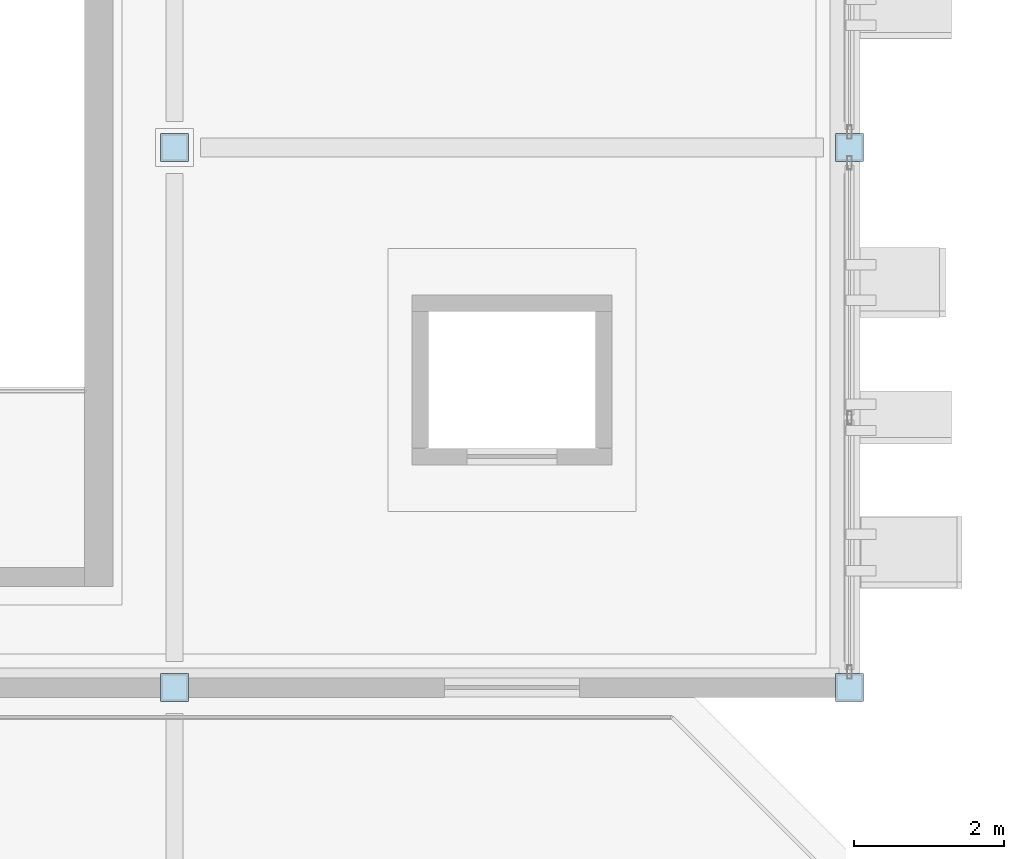
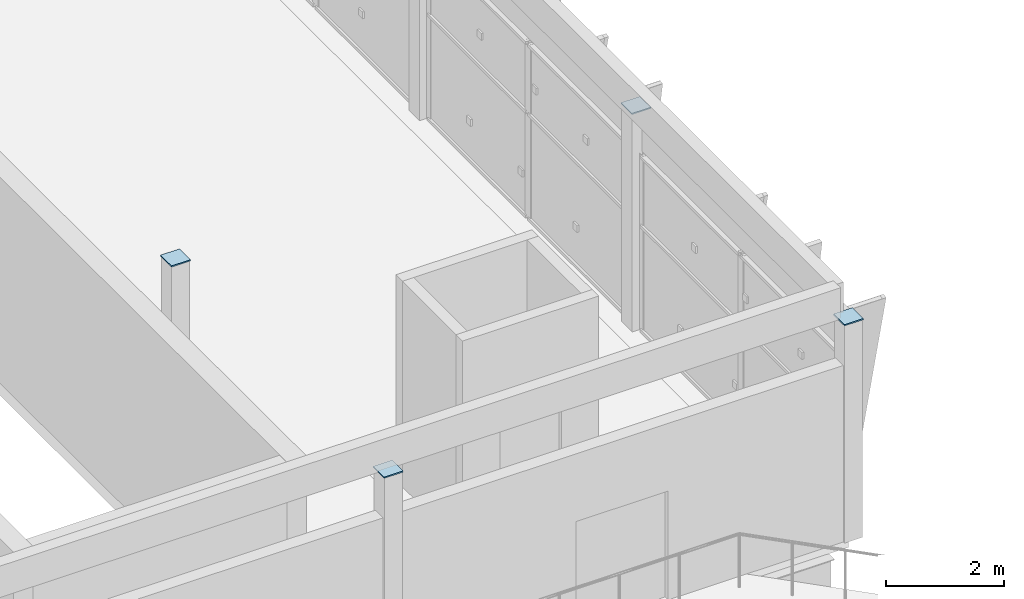
# One storey, part 90 of 124: 4 plates.
"""IFC4 building model written with IfcOpenShell, lengths in metres."""

from ifc_helpers import new_model, si_unit, direction, frame, origin, origin_2d, place, context, subcontext, project, spatial, rectangle, extrude, material, layer, layer_set, type_object, element, save


model = new_model("IFC4")

# Units and contexts
model_context = context("Model", 3, precision=1e-05, world=origin(), true_north=direction((0.0, 1.0)))
body_context = subcontext(model_context, "Body", "Model", "MODEL_VIEW")
ifc_project = project(units=[si_unit("LENGTHUNIT", "METRE"), si_unit("AREAUNIT", "SQUARE_METRE"), si_unit("VOLUMEUNIT", "CUBIC_METRE"), si_unit("PLANEANGLEUNIT", "RADIAN"), si_unit("MASSUNIT", "GRAM", prefix="KILO")], contexts=[model_context])

# Site, building, storey
site_placement = place(None, origin())
site = spatial("IfcSite", under=ifc_project, at=site_placement, CompositionType="ELEMENT")
building_placement = place(site_placement, origin())
building = spatial("IfcBuilding", under=site, at=building_placement, Name="Celestram Park Convention Centre", CompositionType="ELEMENT")
storey_placement = place(building_placement, frame((0.0, 0.0, 15.300048828125)))
storey = spatial("IfcBuildingStorey", under=building, at=storey_placement, Name="L03", CompositionType="ELEMENT", Elevation=15.300048828125)

# Plates
ifc_material = material(Name="Steel ASTM A572 Grade 50", Category="steel")
ifc_layer = layer(ifc_material, 0.02490234375)
ifc_layer_set = layer_set([ifc_layer], Name="Steel ASTM A572 Grade 50")
plate_type = type_object("IfcPlateType", Name="STR-PLT-EC350", PredefinedType="USERDEFINED", material=ifc_layer_set)
for number, where, z_axis, x_axis, name in (
    (1, (135.0, 50.39990234375, 4.49951171875), (0.0, 0.0, 1.0), (1.0, 0.0, 0.0), "HSS column end closure cap plate EC-L03-087"),
    (2, (135.0, 57.60009765625, 4.49951171875), (0.0, 0.0, 1.0), (1.0, 0.0, 0.0), "HSS column end closure cap plate EC-L03-088"),
    (3, (144.0, 50.39990234375, 4.49951171875), (0.0, 0.0, 1.0), (1.0, 0.0, 0.0), "HSS column end closure cap plate EC-L03-104"),
    (4, (144.0, 57.60009765625, 4.49951171875), (0.0, 0.0, 1.0), (1.0, 0.0, 0.0), "HSS column end closure cap plate EC-L03-105"),
):
    element("IfcPlate", number, at=place(storey_placement, frame(where, z_axis=z_axis, x_axis=x_axis)), inside=storey, type_object=plate_type, Name=name, ObjectType="GUSSET_PLATE", PredefinedType="USERDEFINED", context=body_context, shape_type="SweptSolid", body=[
        extrude(rectangle(XDim=0.3701171875, YDim=0.3701171875, at=origin_2d()), origin(), (0.0, 0.0, 1.0), 0.02490234375),
    ])

save(model, "model.ifc")
